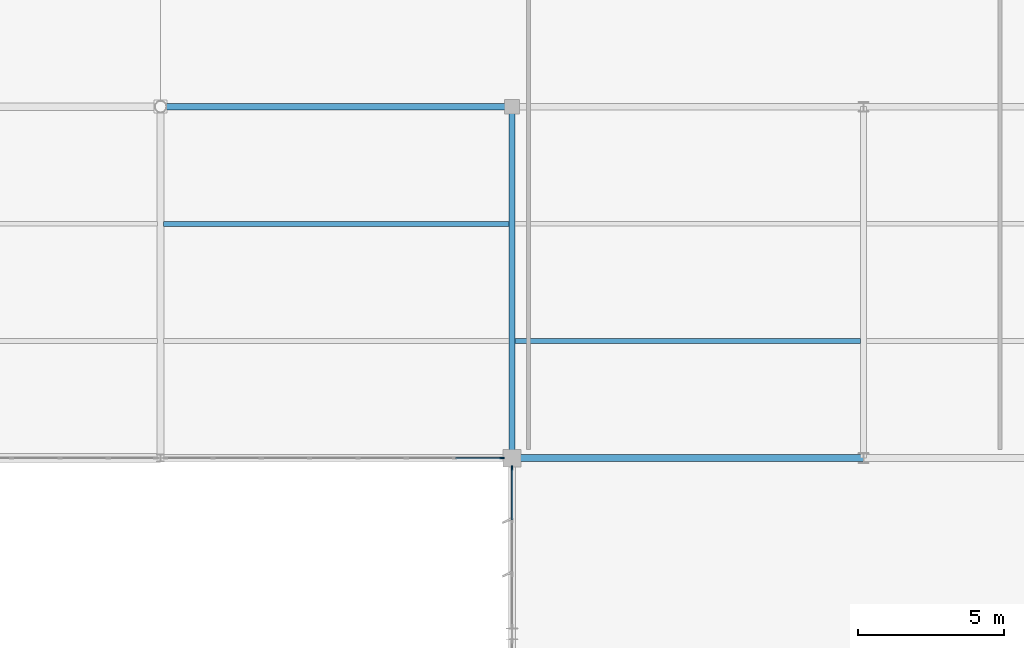
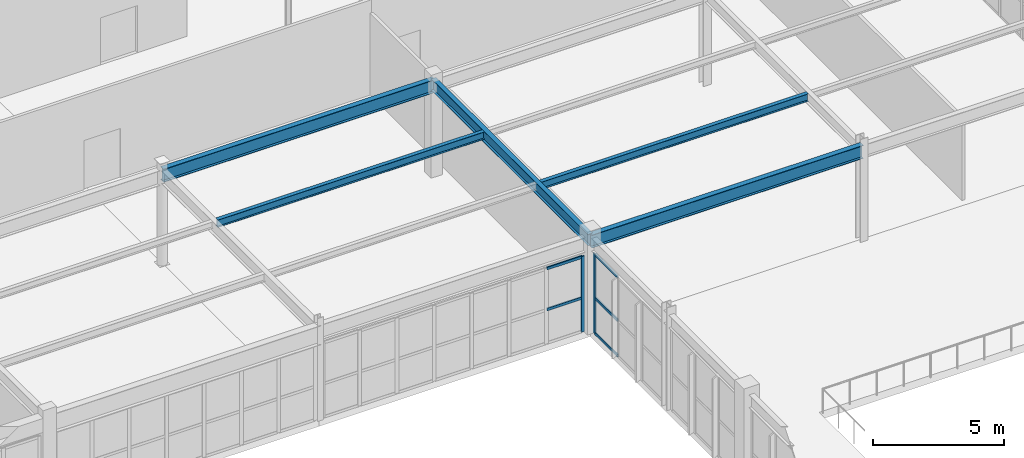
# One storey, part 99 of 226: 7 members, 5 beams, 2 elements without a shape of their own.
"""IFC4 building model written with IfcOpenShell, lengths in metres."""

from ifc_helpers import new_model, si_unit, direction, frame, origin, origin_2d, place, context, subcontext, project, spatial, rectangle, i_section, extrude, material, layer, layer_set, material_profile, profile_set, type_object, element, aggregate, save


model = new_model("IFC4")

# Units and contexts
model_context = context("Model", 3, precision=1e-05, world=origin(), true_north=direction((0.0, 1.0)))
body_context = subcontext(model_context, "Body", "Model", "MODEL_VIEW")
ifc_project = project(units=[si_unit("LENGTHUNIT", "METRE"), si_unit("AREAUNIT", "SQUARE_METRE"), si_unit("VOLUMEUNIT", "CUBIC_METRE"), si_unit("PLANEANGLEUNIT", "RADIAN"), si_unit("MASSUNIT", "GRAM", prefix="KILO")], contexts=[model_context])

# Site, building, storey
site_placement = place(None, origin())
site = spatial("IfcSite", under=ifc_project, at=site_placement, CompositionType="ELEMENT")
building_placement = place(site_placement, origin())
building = spatial("IfcBuilding", under=site, at=building_placement, Name="Tarnwether General Hospital", CompositionType="ELEMENT")
storey_placement = place(building_placement, frame((0.0, 0.0, 4.800048828125)))
storey = spatial("IfcBuildingStorey", under=building, at=storey_placement, Name="L01", CompositionType="ELEMENT", Elevation=4.800048828125)

# Beams
ifc_material_1 = material(Name="Steel Grade 350 (350 MPa)", Category="steel")
ifc_material_profile_1 = material_profile(ifc_material_1, i_section(OverallWidth=0.22900390625, OverallDepth=0.612060546875, WebThickness=0.011962890625, FlangeThickness=0.01953125, at=origin_2d()), Name="610UB125")
ifc_profile_set_1 = profile_set([ifc_material_profile_1], Name="Steel Grade 350 (350 MPa)")
beam_type_1 = type_object("IfcBeamType", Name="BM-G03", PredefinedType="BEAM", material=ifc_profile_set_1)
for number, where, z_axis, x_axis, name in (
    (1, (96.0, 93.60009765625, 4.138916015625), (1.0, 0.0, 0.0), (0.0, 1.0, 0.0), "Primary Girder BMG-L01-9600_9360-10800_9360-1167"),
    (2, (108.0, 81.60009765625, 4.138916015625), (1.0, 0.0, 0.0), (0.0, 1.0, 0.0), "Primary Girder BMG-L01-10800_8160-12000_8160-1179"),
):
    element("IfcBeam", number, at=place(storey_placement, frame(where, z_axis=z_axis, x_axis=x_axis)), inside=storey, type_object=beam_type_1, Name=name, PredefinedType="BEAM", context=body_context, shape_type="SweptSolid", body=[
        extrude(i_section(OverallWidth=0.22900390625, OverallDepth=0.612060546875, WebThickness=0.011962890625, FlangeThickness=0.01953125, at=origin_2d()), origin(), (0.0, 0.0, 1.0), 12.0),
    ])
ifc_material_2 = material(Name="Steel Grade 350 (350 MPa)", Category="steel")
ifc_material_profile_2 = material_profile(ifc_material_2, i_section(OverallWidth=0.208984375, OverallDepth=0.532958984375, WebThickness=0.01025390625, FlangeThickness=0.015625, at=origin_2d()), Name="530UB92.4")
ifc_profile_set_2 = profile_set([ifc_material_profile_2], Name="Steel Grade 350 (350 MPa)")
beam_type_2 = type_object("IfcBeamType", Name="BM-G06", PredefinedType="BEAM", material=ifc_profile_set_2)
beam_1_placement = place(storey_placement, frame((108.0, 81.60009765625, 4.178466796875), z_axis=(0.0, 1.0, 0.0), x_axis=(-1.0, 0.0, 0.0)))
element("IfcBeam", 3, at=beam_1_placement, inside=storey, type_object=beam_type_2, Name="Primary Girder BMG-L01-10800_8160-10800_9360-1180", PredefinedType="BEAM", context=body_context, shape_type="SweptSolid", body=[
    extrude(i_section(OverallWidth=0.208984375, OverallDepth=0.532958984375, WebThickness=0.01025390625, FlangeThickness=0.015625, at=origin_2d()), origin(), (0.0, 0.0, 1.0), 12.0),
])
ifc_material_3 = material(Name="Steel Grade 350 (350 MPa)", Category="steel")
ifc_material_profile_3 = material_profile(ifc_material_3, i_section(OverallWidth=0.1708984375, OverallDepth=0.35205078125, WebThickness=0.0068359375, FlangeThickness=0.009765625, at=origin_2d()), Name="360UB44.7")
ifc_profile_set_3 = profile_set([ifc_material_profile_3], Name="Steel Grade 350 (350 MPa)")
beam_type_3 = type_object("IfcBeamType", Name="BM-J06", PredefinedType="JOIST", material=ifc_profile_set_3)
beam_2_placement = place(storey_placement, frame((96.10791015625, 89.60009765625, 4.26904296875), z_axis=(1.0, 0.0, 0.0), x_axis=(0.0, 1.0, 0.0)))
element("IfcBeam", 4, at=beam_2_placement, inside=storey, type_object=beam_type_3, Name="Composite Floor Joist BMG-L01-9611_8960-10790_8960-1374", PredefinedType="JOIST", context=body_context, shape_type="SweptSolid", body=[
    extrude(i_section(OverallWidth=0.1708984375, OverallDepth=0.35205078125, WebThickness=0.0068359375, FlangeThickness=0.009765625, at=origin_2d()), origin(), (0.0, 0.0, 1.0), 11.79296875),
])
beam_3_placement = place(storey_placement, frame((108.09912109375, 85.60009765625, 4.26904296875), z_axis=(1.0, 0.0, 0.0), x_axis=(0.0, 1.0, 0.0)))
element("IfcBeam", 5, at=beam_3_placement, inside=storey, type_object=beam_type_3, Name="Composite Floor Joist BMG-L01-10810_8560-11990_8560-1379", PredefinedType="JOIST", context=body_context, shape_type="SweptSolid", body=[
    extrude(i_section(OverallWidth=0.1708984375, OverallDepth=0.35205078125, WebThickness=0.0068359375, FlangeThickness=0.009765625, at=origin_2d()), origin(), (0.0, 0.0, 1.0), 11.8017578125),
])

# Curtain wall, member
ifc_material_4 = material(Name="Anodised aluminium", Category="aluminium")
ifc_layer_1 = layer(ifc_material_4, 0.159912109375)
ifc_layer_set_1 = layer_set([ifc_layer_1], Name="Anodised aluminium")
curtain_wall_type_1 = type_object("IfcCurtainWallType", Name="CW-23", PredefinedType="NOTDEFINED", material=ifc_layer_set_1)
curtain_wall_1_placement = place(storey_placement, origin())
curtain_wall_1 = element("IfcCurtainWall", 6, at=curtain_wall_1_placement, inside=storey, type_object=curtain_wall_type_1, Name="Curtain Wall CWG-L01-961_816-0342", PredefinedType="NOTDEFINED")
ifc_material_5 = material(Name="Anodised aluminium", Category="aluminium")
ifc_material_profile_4 = material_profile(ifc_material_5, rectangle(XDim=0.06005859375, YDim=0.159912109375, at=origin_2d()), Name="ALU-MUL-60x160")
ifc_profile_set_4 = profile_set([ifc_material_profile_4], Name="Anodised aluminium")
member_type_1 = type_object("IfcMemberType", Name="CW-ML1", PredefinedType="MULLION", material=ifc_profile_set_4)
member_1_placement = place(storey_placement, frame((107.662109375, 81.60009765625, 0.0), z_axis=(0.0, 0.0, 1.0), x_axis=(0.0, 1.0, 0.0)))
member_1 = element("IfcMember", 7, at=member_1_placement, type_object=member_type_1, Name="CW-23 mullion 8", PredefinedType="MULLION", context=body_context, shape_type="SweptSolid", body=[
    extrude(rectangle(XDim=0.06005859375, YDim=0.159912109375, at=origin_2d()), origin(), (0.0, 0.0, 1.0), 3.530029296875),
])

ifc_material_6 = material(Name="Anodised aluminium", Category="aluminium")
ifc_layer_2 = layer(ifc_material_6, 0.179931640625)
ifc_layer_set_2 = layer_set([ifc_layer_2], Name="Anodised aluminium")
curtain_wall_type_2 = type_object("IfcCurtainWallType", Name="CW-07", PredefinedType="NOTDEFINED", material=ifc_layer_set_2)
curtain_wall_2_placement = place(storey_placement, origin())
curtain_wall_2 = element("IfcCurtainWall", 8, at=curtain_wall_2_placement, inside=storey, type_object=curtain_wall_type_2, Name="Curtain Wall CWG-L01-1080_758-0360", PredefinedType="NOTDEFINED")
member_2_placement = place(storey_placement, frame((108.0, 81.261962890625, 0.0), z_axis=(0.0, 0.0, 1.0), x_axis=(-1.0, 0.0, 0.0)))
member_2 = element("IfcMember", 9, at=member_2_placement, type_object=member_type_1, Name="CW-07 mullion 4", PredefinedType="MULLION", context=body_context, shape_type="SweptSolid", body=[
    extrude(rectangle(XDim=0.06005859375, YDim=0.159912109375, at=origin_2d()), origin(), (0.0, 0.0, 1.0), 3.738037109375),
])

# Member
ifc_material_7 = material(Name="Anodised aluminium", Category="aluminium")
ifc_material_profile_5 = material_profile(ifc_material_7, rectangle(XDim=0.06005859375, YDim=0.1201171875, at=origin_2d()), Name="ALU-TRN-60x120")
ifc_profile_set_5 = profile_set([ifc_material_profile_5], Name="Anodised aluminium")
member_type_2 = type_object("IfcMemberType", Name="CW-TR1", PredefinedType="USERDEFINED", material=ifc_profile_set_5)
member_3_placement = place(storey_placement, frame((106.071044921875, 81.60009765625, 1.58837890625), z_axis=(1.0, 0.0, 0.0), x_axis=(0.0, 1.0, 0.0)))
member_3 = element("IfcMember", 10, at=member_3_placement, type_object=member_type_2, Name="CW-23 transom 7.2", ObjectType="TRANSOM", PredefinedType="USERDEFINED", context=body_context, shape_type="SweptSolid", body=[
    extrude(rectangle(XDim=0.06005859375, YDim=0.1201171875, at=origin_2d()), origin(), (0.0, 0.0, 1.0), 1.56103515625),
])

member_4_placement = place(storey_placement, frame((106.071044921875, 81.60009765625, 3.5), z_axis=(1.0, 0.0, 0.0), x_axis=(0.0, 1.0, 0.0)))
member_4 = element("IfcMember", 11, at=member_4_placement, type_object=member_type_2, Name="CW-23 transom 7.3", ObjectType="TRANSOM", PredefinedType="USERDEFINED", context=body_context, shape_type="SweptSolid", body=[
    extrude(rectangle(XDim=0.06005859375, YDim=0.1201171875, at=origin_2d()), origin(), (0.0, 0.0, 1.0), 1.56103515625),
])

aggregate(curtain_wall_1, [member_1, member_3, member_4])

member_5_placement = place(storey_placement, frame((108.0, 79.493896484375, 0.030029296875), z_axis=(0.0, 1.0, 0.0), x_axis=(-1.0, 0.0, 0.0)))
member_5 = element("IfcMember", 12, at=member_5_placement, type_object=member_type_2, Name="CW-07 transom 3.1", ObjectType="TRANSOM", PredefinedType="USERDEFINED", context=body_context, shape_type="SweptSolid", body=[
    extrude(rectangle(XDim=0.06005859375, YDim=0.1201171875, at=origin_2d()), origin(), (0.0, 0.0, 1.0), 1.738037109375),
])

member_6_placement = place(storey_placement, frame((108.0, 79.493896484375, 1.68212890625), z_axis=(0.0, 1.0, 0.0), x_axis=(-1.0, 0.0, 0.0)))
member_6 = element("IfcMember", 13, at=member_6_placement, type_object=member_type_2, Name="CW-07 transom 3.2", ObjectType="TRANSOM", PredefinedType="USERDEFINED", context=body_context, shape_type="SweptSolid", body=[
    extrude(rectangle(XDim=0.06005859375, YDim=0.1201171875, at=origin_2d()), origin(), (0.0, 0.0, 1.0), 1.738037109375),
])

member_7_placement = place(storey_placement, frame((108.0, 79.493896484375, 3.7080078125), z_axis=(0.0, 1.0, 0.0), x_axis=(-1.0, 0.0, 0.0)))
member_7 = element("IfcMember", 14, at=member_7_placement, type_object=member_type_2, Name="CW-07 transom 3.3", ObjectType="TRANSOM", PredefinedType="USERDEFINED", context=body_context, shape_type="SweptSolid", body=[
    extrude(rectangle(XDim=0.06005859375, YDim=0.1201171875, at=origin_2d()), origin(), (0.0, 0.0, 1.0), 1.738037109375),
])

aggregate(curtain_wall_2, [member_2, member_5, member_6, member_7])

save(model, "model.ifc")
